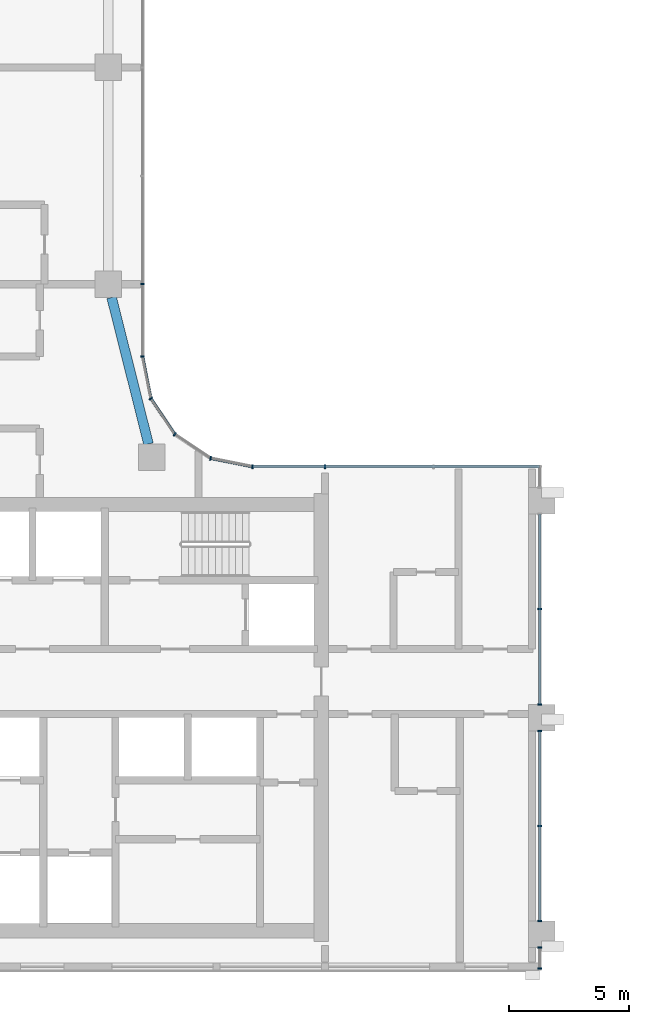
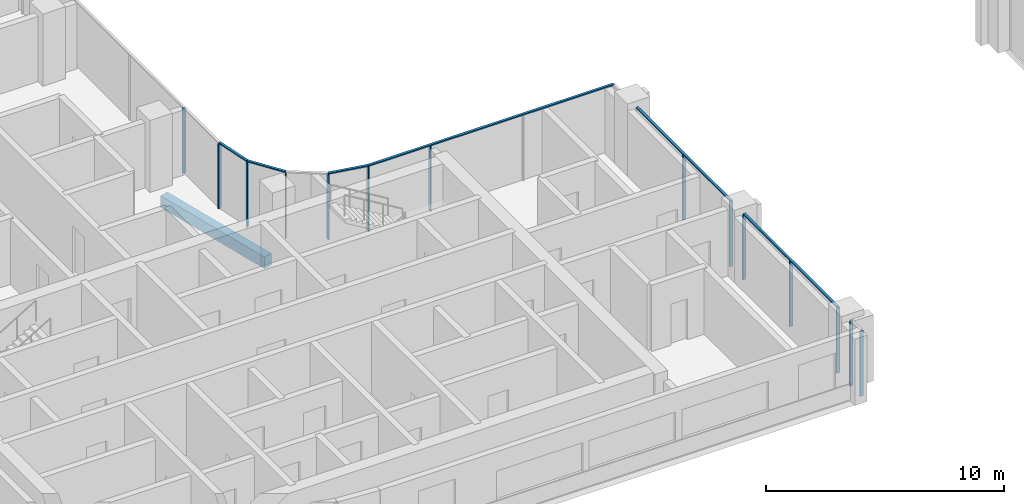
# One storey, part 2 of 23: 20 members, 1 beam, 6 elements without a shape of their own.
"""IFC4 building model written with IfcOpenShell, lengths in metres."""

from ifc_helpers import new_model, si_unit, direction, frame, origin, origin_2d, place, context, subcontext, project, spatial, rectangle, extrude, material, material_profile, profile_set, type_object, element, aggregate, save


model = new_model("IFC4")

# Units and contexts
model_context = context("Model", 3, precision=1e-05, world=origin(), true_north=direction((0.0, 1.0)))
body_context = subcontext(model_context, "Body", "Model", "MODEL_VIEW")
ifc_project = project(units=[si_unit("LENGTHUNIT", "METRE"), si_unit("AREAUNIT", "SQUARE_METRE"), si_unit("VOLUMEUNIT", "CUBIC_METRE"), si_unit("PLANEANGLEUNIT", "RADIAN"), si_unit("MASSUNIT", "GRAM", prefix="KILO")], contexts=[model_context])

# Site, building, storey
site_placement = place(None, origin())
site = spatial("IfcSite", under=ifc_project, at=site_placement, CompositionType="ELEMENT")
building_placement = place(site_placement, origin())
building = spatial("IfcBuilding", under=site, at=building_placement, Name="Ogive Portal Towers", CompositionType="ELEMENT")
storey_placement = place(building_placement, frame((0.0, 0.0, 149.60009765625)))
storey = spatial("IfcBuildingStorey", under=building, at=storey_placement, Name="L36", CompositionType="ELEMENT", Elevation=149.60009765625)

# Curtain wall, members
ifc_material_1 = material(Name="Glass, clear low-iron insulated glazing", Category="glass")
curtain_wall_type_1 = type_object("IfcCurtainWallType", Name="CW PORTAL REVEAL", PredefinedType="NOTDEFINED", material=ifc_material_1)
curtain_wall_1_placement = place(storey_placement, origin())
curtain_wall_1 = element("IfcCurtainWall", 1, at=curtain_wall_1_placement, inside=storey, type_object=curtain_wall_type_1, Name="A:L36:f07:cw0~0", PredefinedType="NOTDEFINED")
ifc_material_2 = material(Name="Aluminium 6063 anodised", Category="aluminium")
ifc_material_profile_1 = material_profile(ifc_material_2, rectangle(XDim=0.159912109375, YDim=0.06005859375, at=origin_2d()), Name="AL 60x160")
ifc_profile_set_1 = profile_set([ifc_material_profile_1], Name="Aluminium 6063 anodised")
member_type_1 = type_object("IfcMemberType", Name="CW MULLION 60x160", PredefinedType="MULLION", material=ifc_profile_set_1)
member_1_placement = place(storey_placement, frame((67.419921875, 20.080078125, 0.0), z_axis=(0.0, 0.0, 1.0), x_axis=(-1.0, 0.0, 0.0)))
member_1 = element("IfcMember", 2, at=member_1_placement, type_object=member_type_1, Name="mullion", PredefinedType="MULLION", context=body_context, shape_type="SweptSolid", body=[
    extrude(rectangle(XDim=0.159912109375, YDim=0.06005859375, at=origin_2d()), origin(), (0.0, 0.0, 1.0), 3.33984375),
])
member_2_placement = place(storey_placement, frame((67.419921875, 20.949951171875, 0.0), z_axis=(0.0, 0.0, 1.0), x_axis=(-1.0, 0.0, 0.0)))
member_2 = element("IfcMember", 3, at=member_2_placement, type_object=member_type_1, Name="mullion", PredefinedType="MULLION", context=body_context, shape_type="SweptSolid", body=[
    extrude(rectangle(XDim=0.159912109375, YDim=0.06005859375, at=origin_2d()), origin(), (0.0, 0.0, 1.0), 3.33984375),
])
aggregate(curtain_wall_1, [member_1, member_2])

curtain_wall_2_placement = place(storey_placement, origin())
curtain_wall_2 = element("IfcCurtainWall", 4, at=curtain_wall_2_placement, inside=storey, type_object=curtain_wall_type_1, Name="A:L36:f07:cw0~1", PredefinedType="NOTDEFINED")
member_3_placement = place(storey_placement, frame((67.419921875, 22.050048828125, 0.0), z_axis=(0.0, 0.0, 1.0), x_axis=(-1.0, 0.0, 0.0)))
member_3 = element("IfcMember", 5, at=member_3_placement, type_object=member_type_1, Name="mullion", PredefinedType="MULLION", context=body_context, shape_type="SweptSolid", body=[
    extrude(rectangle(XDim=0.159912109375, YDim=0.06005859375, at=origin_2d()), origin(), (0.0, 0.0, 1.0), 3.33984375),
])
member_4_placement = place(storey_placement, frame((67.419921875, 26.0, 0.0), z_axis=(0.0, 0.0, 1.0), x_axis=(-1.0, 0.0, 0.0)))
member_4 = element("IfcMember", 6, at=member_4_placement, type_object=member_type_1, Name="mullion", PredefinedType="MULLION", context=body_context, shape_type="SweptSolid", body=[
    extrude(rectangle(XDim=0.159912109375, YDim=0.06005859375, at=origin_2d()), origin(), (0.0, 0.0, 1.0), 3.33984375),
])
member_5_placement = place(storey_placement, frame((67.419921875, 29.949951171875, 0.0), z_axis=(0.0, 0.0, 1.0), x_axis=(-1.0, 0.0, 0.0)))
member_5 = element("IfcMember", 7, at=member_5_placement, type_object=member_type_1, Name="mullion", PredefinedType="MULLION", context=body_context, shape_type="SweptSolid", body=[
    extrude(rectangle(XDim=0.159912109375, YDim=0.06005859375, at=origin_2d()), origin(), (0.0, 0.0, 1.0), 3.33984375),
])

curtain_wall_3_placement = place(storey_placement, origin())
curtain_wall_3 = element("IfcCurtainWall", 8, at=curtain_wall_3_placement, inside=storey, type_object=curtain_wall_type_1, Name="A:L36:f07:cw0~2", PredefinedType="NOTDEFINED")
member_6_placement = place(storey_placement, frame((67.419921875, 31.050048828125, 0.0), z_axis=(0.0, 0.0, 1.0), x_axis=(-1.0, 0.0, 0.0)))
member_6 = element("IfcMember", 9, at=member_6_placement, type_object=member_type_1, Name="mullion", PredefinedType="MULLION", context=body_context, shape_type="SweptSolid", body=[
    extrude(rectangle(XDim=0.159912109375, YDim=0.06005859375, at=origin_2d()), origin(), (0.0, 0.0, 1.0), 3.33984375),
])
member_7_placement = place(storey_placement, frame((67.419921875, 35.0, 0.0), z_axis=(0.0, 0.0, 1.0), x_axis=(-1.0, 0.0, 0.0)))
member_7 = element("IfcMember", 10, at=member_7_placement, type_object=member_type_1, Name="mullion", PredefinedType="MULLION", context=body_context, shape_type="SweptSolid", body=[
    extrude(rectangle(XDim=0.159912109375, YDim=0.06005859375, at=origin_2d()), origin(), (0.0, 0.0, 1.0), 3.33984375),
])

curtain_wall_type_2 = type_object("IfcCurtainWallType", Name="CW FRONT RIBBON 4500", PredefinedType="NOTDEFINED", material=ifc_material_1)
curtain_wall_4_placement = place(storey_placement, origin())
curtain_wall_4 = element("IfcCurtainWall", 11, at=curtain_wall_4_placement, inside=storey, type_object=curtain_wall_type_2, Name="A:L36:f08:cw0", PredefinedType="NOTDEFINED")
member_8_placement = place(storey_placement, frame((58.5, 40.919921875, 0.0), z_axis=(0.0, 0.0, 1.0), x_axis=(0.0, -1.0, 0.0)))
member_8 = element("IfcMember", 12, at=member_8_placement, type_object=member_type_1, Name="mullion", PredefinedType="MULLION", context=body_context, shape_type="SweptSolid", body=[
    extrude(rectangle(XDim=0.159912109375, YDim=0.06005859375, at=origin_2d()), origin(), (0.0, 0.0, 1.0), 3.33984375),
])
member_9_placement = place(storey_placement, frame((55.4921875, 40.919921875, 0.0), z_axis=(0.0, 0.0, 1.0), x_axis=(0.0, -1.0, 0.0)))
member_9 = element("IfcMember", 13, at=member_9_placement, type_object=member_type_1, Name="mullion", PredefinedType="MULLION", context=body_context, shape_type="SweptSolid", body=[
    extrude(rectangle(XDim=0.159912109375, YDim=0.06005859375, at=origin_2d()), origin(), (0.0, 0.0, 1.0), 3.33984375),
])

curtain_wall_5_placement = place(storey_placement, origin())
curtain_wall_5 = element("IfcCurtainWall", 14, at=curtain_wall_5_placement, inside=storey, type_object=curtain_wall_type_2, Name="A:L36:f13:cw0", PredefinedType="NOTDEFINED")
member_10_placement = place(storey_placement, frame((50.919921875, 45.4921875, 0.0), z_axis=(0.0, 0.0, 1.0), x_axis=(-1.0, 0.0, 0.0)))
member_10 = element("IfcMember", 15, at=member_10_placement, type_object=member_type_1, Name="mullion", PredefinedType="MULLION", context=body_context, shape_type="SweptSolid", body=[
    extrude(rectangle(XDim=0.159912109375, YDim=0.06005859375, at=origin_2d()), origin(), (0.0, 0.0, 1.0), 3.33984375),
])
member_11_placement = place(storey_placement, frame((50.919921875, 48.5, 0.0), z_axis=(0.0, 0.0, 1.0), x_axis=(-1.0, 0.0, 0.0)))
member_11 = element("IfcMember", 16, at=member_11_placement, type_object=member_type_1, Name="mullion", PredefinedType="MULLION", context=body_context, shape_type="SweptSolid", body=[
    extrude(rectangle(XDim=0.159912109375, YDim=0.06005859375, at=origin_2d()), origin(), (0.0, 0.0, 1.0), 3.33984375),
])
aggregate(curtain_wall_5, [member_10, member_11])

curtain_wall_6_placement = place(storey_placement, origin())
curtain_wall_6 = element("IfcCurtainWall", 17, at=curtain_wall_6_placement, inside=storey, type_object=curtain_wall_type_2, Name="A:L36:f09:cwa", PredefinedType="NOTDEFINED")
member_12_placement = place(storey_placement, frame((53.746826171875, 41.26708984375, 0.0), z_axis=(0.0, 0.0, 1.0), x_axis=(-0.195090322016, -0.980785280403, 0.0)))
member_12 = element("IfcMember", 18, at=member_12_placement, type_object=member_type_1, Name="mullion", PredefinedType="MULLION", context=body_context, shape_type="SweptSolid", body=[
    extrude(rectangle(XDim=0.159912109375, YDim=0.06005859375, at=origin_2d()), origin(), (0.0, 0.0, 1.0), 3.33984375),
])
member_13_placement = place(storey_placement, frame((52.26025390625, 42.26025390625, 0.0), z_axis=(0.0, 0.0, 1.0), x_axis=(-0.55557023302, -0.831469612303, 0.0)))
member_13 = element("IfcMember", 19, at=member_13_placement, type_object=member_type_1, Name="mullion", PredefinedType="MULLION", context=body_context, shape_type="SweptSolid", body=[
    extrude(rectangle(XDim=0.159912109375, YDim=0.06005859375, at=origin_2d()), origin(), (0.0, 0.0, 1.0), 3.33984375),
])
member_14_placement = place(storey_placement, frame((51.26708984375, 43.746826171875, 0.0), z_axis=(0.0, 0.0, 1.0), x_axis=(-0.831469612303, -0.55557023302, 0.0)))
member_14 = element("IfcMember", 20, at=member_14_placement, type_object=member_type_1, Name="mullion", PredefinedType="MULLION", context=body_context, shape_type="SweptSolid", body=[
    extrude(rectangle(XDim=0.159912109375, YDim=0.06005859375, at=origin_2d()), origin(), (0.0, 0.0, 1.0), 3.33984375),
])

# Member
ifc_material_profile_2 = material_profile(ifc_material_2, rectangle(XDim=0.1201171875, YDim=0.06005859375, at=origin_2d()), Name="AL 120x60")
ifc_profile_set_2 = profile_set([ifc_material_profile_2], Name="Aluminium 6063 anodised")
member_type_2 = type_object("IfcMemberType", Name="CW TRANSOM 60x120", PredefinedType="USERDEFINED", material=ifc_profile_set_2)
member_15_placement = place(storey_placement, frame((67.419921875, 22.050048828125, 3.369873046875), z_axis=(0.0, 1.0, 0.0), x_axis=(-1.0, 0.0, 0.0)))
member_15 = element("IfcMember", 21, at=member_15_placement, type_object=member_type_2, Name="transom", ObjectType="TRANSOM", PredefinedType="USERDEFINED", context=body_context, shape_type="SweptSolid", body=[
    extrude(rectangle(XDim=0.1201171875, YDim=0.06005859375, at=origin_2d()), origin(), (0.0, 0.0, 1.0), 7.89990234375),
])

aggregate(curtain_wall_2, [member_15, member_3, member_4, member_5])

member_16_placement = place(storey_placement, frame((67.419921875, 31.050048828125, 3.369873046875), z_axis=(0.0, 1.0, 0.0), x_axis=(-1.0, 0.0, 0.0)))
member_16 = element("IfcMember", 22, at=member_16_placement, type_object=member_type_2, Name="transom", ObjectType="TRANSOM", PredefinedType="USERDEFINED", context=body_context, shape_type="SweptSolid", body=[
    extrude(rectangle(XDim=0.1201171875, YDim=0.06005859375, at=origin_2d()), origin(), (0.0, 0.0, 1.0), 7.89990234375),
])

aggregate(curtain_wall_3, [member_16, member_6, member_7])

member_17_placement = place(storey_placement, frame((67.419921875, 40.919921875, 3.369873046875), z_axis=(-1.0, 0.0, 0.0), x_axis=(0.0, -1.0, 0.0)))
member_17 = element("IfcMember", 23, at=member_17_placement, type_object=member_type_2, Name="transom", ObjectType="TRANSOM", PredefinedType="USERDEFINED", context=body_context, shape_type="SweptSolid", body=[
    extrude(rectangle(XDim=0.1201171875, YDim=0.06005859375, at=origin_2d()), origin(), (0.0, 0.0, 1.0), 11.927734375),
])

aggregate(curtain_wall_4, [member_17, member_8, member_9])

member_18_placement = place(storey_placement, frame((55.4921875, 40.919921875, 3.369873046875), z_axis=(-0.980785923915, 0.195087086838, 0.0), x_axis=(-0.195087086838, -0.980785923915, 0.0)))
member_18 = element("IfcMember", 24, at=member_18_placement, type_object=member_type_2, Name="transom", ObjectType="TRANSOM", PredefinedType="USERDEFINED", context=body_context, shape_type="SweptSolid", body=[
    extrude(rectangle(XDim=0.1201171875, YDim=0.06005859375, at=origin_2d()), origin(), (0.0, 0.0, 1.0), 1.779541015625),
])

member_19_placement = place(storey_placement, frame((52.26025390625, 42.26025390625, 3.369873046875), z_axis=(-0.555519277244, 0.831503657605, 0.0), x_axis=(-0.831503657605, -0.555519277244, 0.0)))
member_19 = element("IfcMember", 25, at=member_19_placement, type_object=member_type_2, Name="transom", ObjectType="TRANSOM", PredefinedType="USERDEFINED", context=body_context, shape_type="SweptSolid", body=[
    extrude(rectangle(XDim=0.1201171875, YDim=0.06005859375, at=origin_2d()), origin(), (0.0, 0.0, 1.0), 1.787841796875),
])

member_20_placement = place(storey_placement, frame((51.26708984375, 43.746826171875, 3.369873046875), z_axis=(-0.195087086838, 0.980785923915, 0.0), x_axis=(-0.980785923915, -0.195087086838, 0.0)))
member_20 = element("IfcMember", 26, at=member_20_placement, type_object=member_type_2, Name="transom", ObjectType="TRANSOM", PredefinedType="USERDEFINED", context=body_context, shape_type="SweptSolid", body=[
    extrude(rectangle(XDim=0.1201171875, YDim=0.06005859375, at=origin_2d()), origin(), (0.0, 0.0, 1.0), 1.779541015625),
])

aggregate(curtain_wall_6, [member_18, member_19, member_20, member_12, member_13, member_14])

# Beam
ifc_material_3 = material(Name="Concrete C40/50", Category="concrete")
ifc_material_profile_3 = material_profile(ifc_material_3, rectangle(XDim=0.39990234375, YDim=0.60009765625, at=origin_2d()), Name="RC 400x600")
ifc_profile_set_3 = profile_set([ifc_material_profile_3], Name="Concrete C40/50")
beam_type = type_object("IfcBeamType", Name="SPANDREL BEAM RC 400x600", PredefinedType="BEAM", material=ifc_profile_set_3)
beam_placement = place(storey_placement, frame((49.638427734375, 47.949951171875, -0.60009765625), z_axis=(0.244108681121, -0.969747880535, 0.0), x_axis=(0.969747880535, 0.244108681121, 0.0)))
element("IfcBeam", 27, at=beam_placement, inside=storey, type_object=beam_type, Name="Spandrel beam L36", PredefinedType="BEAM", context=body_context, shape_type="SweptSolid", body=[
    extrude(rectangle(XDim=0.39990234375, YDim=0.60009765625, at=origin_2d()), origin(), (0.0, 0.0, 1.0), 6.27978515625),
])

save(model, "model.ifc")
